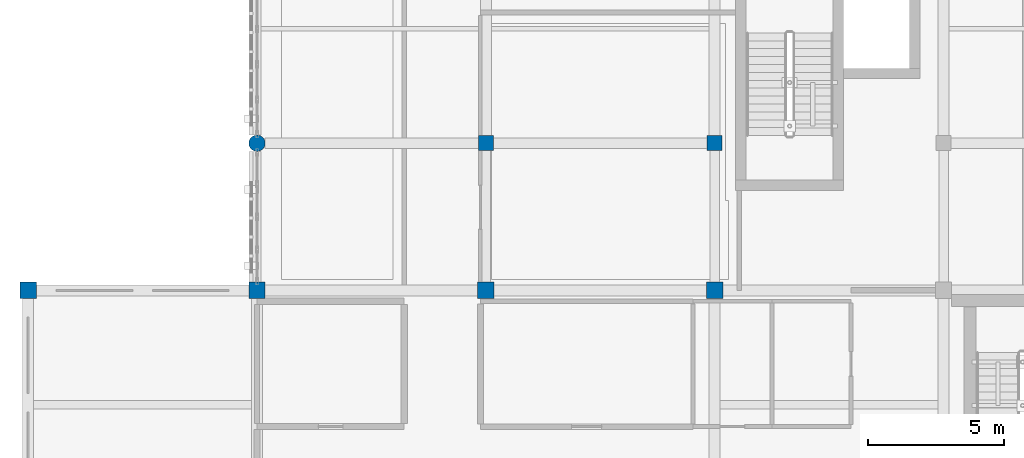
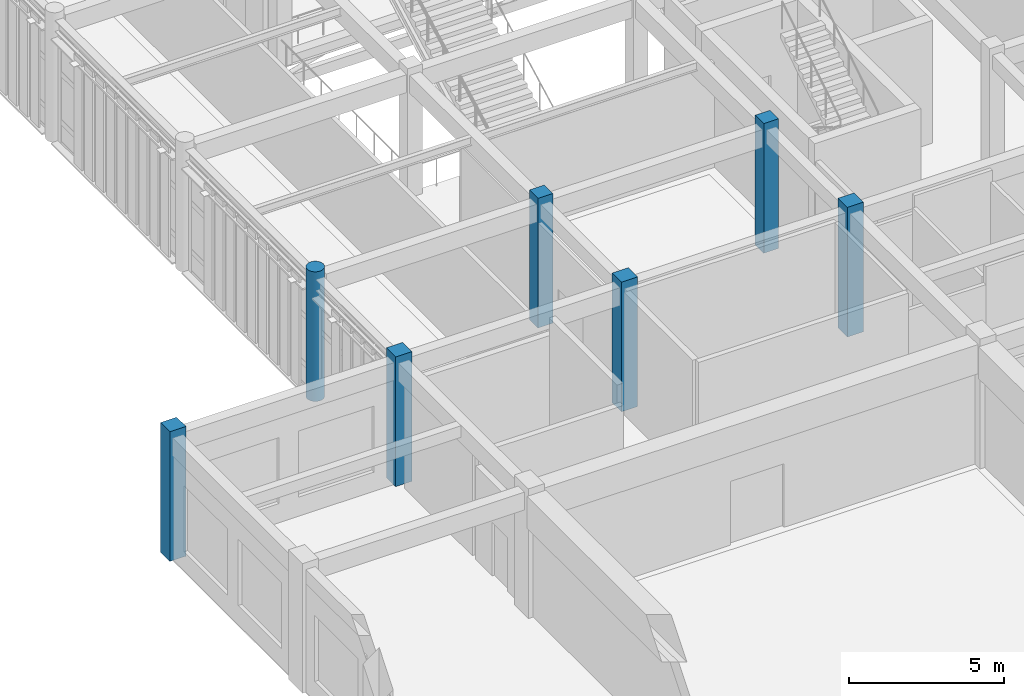
# One storey, part 4 of 93: 7 columns.
"""IFC4 building model written with IfcOpenShell, lengths in metres."""

from ifc_helpers import new_model, si_unit, direction, frame, origin, origin_2d, place, context, subcontext, project, spatial, rectangle, circle, extrude, material, material_profile, profile_set, type_object, element, save


model = new_model("IFC4")

# Units and contexts
model_context = context("Model", 3, precision=1e-05, world=origin(), true_north=direction((0.0, 1.0)))
body_context = subcontext(model_context, "Body", "Model", "MODEL_VIEW")
ifc_project = project(units=[si_unit("LENGTHUNIT", "METRE"), si_unit("AREAUNIT", "SQUARE_METRE"), si_unit("VOLUMEUNIT", "CUBIC_METRE"), si_unit("PLANEANGLEUNIT", "RADIAN"), si_unit("MASSUNIT", "GRAM", prefix="KILO")], contexts=[model_context])

# Site, building, storey
site_placement = place(None, origin())
site = spatial("IfcSite", under=ifc_project, at=site_placement, CompositionType="ELEMENT")
building_placement = place(site_placement, origin())
building = spatial("IfcBuilding", under=site, at=building_placement, Name="Krzemoval Escarpment Law Courts", CompositionType="ELEMENT")
storey_placement = place(building_placement, frame((0.0, 0.0, 10.199951171875)))
storey = spatial("IfcBuildingStorey", under=building, at=storey_placement, Name="L02", CompositionType="ELEMENT", Elevation=10.199951171875)

# Columns
ifc_material_1 = material(Name="Concrete C40/50", Category="concrete")
ifc_material_profile_1 = material_profile(ifc_material_1, rectangle(XDim=0.550048828125, YDim=0.550048828125, at=origin_2d()), Name="RC 550x550")
ifc_profile_set_1 = profile_set([ifc_material_profile_1], Name="Concrete C40/50")
column_type_1 = type_object("IfcColumnType", Name="COL-RC-550", PredefinedType="COLUMN", material=ifc_profile_set_1)
for number, where, z_axis, x_axis, name in (
    (1, (16.800048828125, 40.800048828125, 0.0), (0.0, 0.0, 1.0), (1.0, 0.0, 0.0), "Column FC-L02-0831"),
    (2, (25.199951171875, 40.800048828125, 0.0), (0.0, 0.0, 1.0), (1.0, 0.0, 0.0), "Column FC-L02-0846"),
):
    element("IfcColumn", number, at=place(storey_placement, frame(where, z_axis=z_axis, x_axis=x_axis)), inside=storey, type_object=column_type_1, Name=name, PredefinedType="COLUMN", context=body_context, shape_type="SweptSolid", body=[
        extrude(rectangle(XDim=0.550048828125, YDim=0.550048828125, at=origin_2d()), origin(), (0.0, 0.0, 1.0), 5.10009765625),
    ])
ifc_material_2 = material(Name="Concrete C40/50", Category="concrete")
ifc_material_profile_2 = material_profile(ifc_material_2, rectangle(XDim=0.60009765625, YDim=0.60009765625, at=origin_2d()), Name="RC 600x600")
ifc_profile_set_2 = profile_set([ifc_material_profile_2], Name="Concrete C40/50")
column_type_2 = type_object("IfcColumnType", Name="COL-RC-600", PredefinedType="COLUMN", material=ifc_profile_set_2)
for number, where, z_axis, x_axis, name in (
    (3, (0.0, 35.39990234375, 0.0), (0.0, 0.0, 1.0), (1.0, 0.0, 0.0), "Column FC-L02-0813"),
    (4, (8.39990234375, 35.39990234375, 0.0), (0.0, 0.0, 1.0), (1.0, 0.0, 0.0), "Column FC-L02-0817"),
    (5, (16.800048828125, 35.39990234375, 0.0), (0.0, 0.0, 1.0), (1.0, 0.0, 0.0), "Column FC-L02-0830"),
    (6, (25.199951171875, 35.39990234375, 0.0), (0.0, 0.0, 1.0), (1.0, 0.0, 0.0), "Column FC-L02-0845"),
):
    element("IfcColumn", number, at=place(storey_placement, frame(where, z_axis=z_axis, x_axis=x_axis)), inside=storey, type_object=column_type_2, Name=name, PredefinedType="COLUMN", context=body_context, shape_type="SweptSolid", body=[
        extrude(rectangle(XDim=0.60009765625, YDim=0.60009765625, at=origin_2d()), origin(), (0.0, 0.0, 1.0), 5.10009765625),
    ])
ifc_material_3 = material(Name="Concrete C40/50", Category="concrete")
ifc_material_profile_3 = material_profile(ifc_material_3, circle(Radius=0.300048828125, at=origin_2d()), Name="RC D600")
ifc_profile_set_3 = profile_set([ifc_material_profile_3], Name="Concrete C40/50")
column_type_3 = type_object("IfcColumnType", Name="COL-RCD-600", PredefinedType="COLUMN", material=ifc_profile_set_3)
column_placement = place(storey_placement, frame((8.39990234375, 40.800048828125, 0.0), z_axis=(0.0, 0.0, 1.0), x_axis=(1.0, 0.0, 0.0)))
element("IfcColumn", 7, at=column_placement, inside=storey, type_object=column_type_3, Name="Column FC-L02-0818", PredefinedType="COLUMN", context=body_context, shape_type="SweptSolid", body=[
    extrude(circle(Radius=0.300048828125, at=origin_2d()), origin(), (0.0, 0.0, 1.0), 5.10009765625),
])

save(model, "model.ifc")
